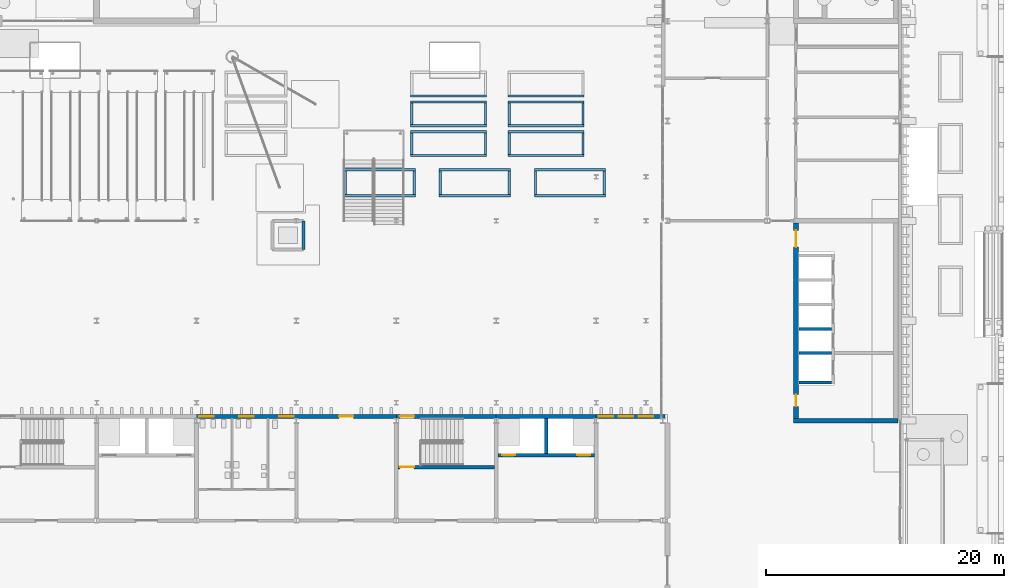
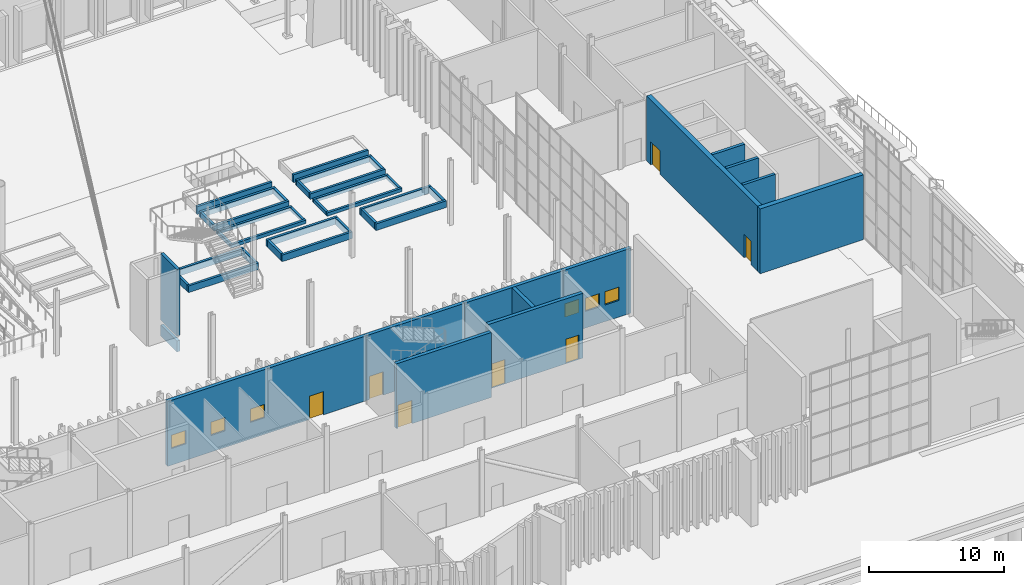
# One storey, part 71 of 108: 44 walls, 7 doors, 6 windows, 13 openings.
"""IFC4 building model written with IfcOpenShell, lengths in metres."""

from ifc_helpers import new_model, si_unit, direction, frame, frame_2d, origin, place, context, subcontext, project, spatial, rectangle, extrude, material, layer, layer_set, type_object, element, fill, save


model = new_model("IFC4")

# Units and contexts
model_context = context("Model", 3, precision=1e-05, world=origin(), true_north=direction((0.0, 1.0)))
body_context = subcontext(model_context, "Body", "Model", "MODEL_VIEW")
ifc_project = project(units=[si_unit("LENGTHUNIT", "METRE"), si_unit("AREAUNIT", "SQUARE_METRE"), si_unit("VOLUMEUNIT", "CUBIC_METRE"), si_unit("PLANEANGLEUNIT", "RADIAN"), si_unit("MASSUNIT", "GRAM", prefix="KILO")], contexts=[model_context])

# Site, building, storey
site_placement = place(None, origin())
site = spatial("IfcSite", under=ifc_project, at=site_placement, CompositionType="ELEMENT")
building_placement = place(site_placement, origin())
building = spatial("IfcBuilding", under=site, at=building_placement, Name="Cresset Court Congress Hotel", CompositionType="ELEMENT")
storey_placement = place(building_placement, origin())
storey = spatial("IfcBuildingStorey", under=building, at=storey_placement, Name="L00", CompositionType="ELEMENT", Elevation=0.0)

# Wall, openings, doors
ifc_material_1 = material(Name="Concrete C50", Category="concrete")
ifc_layer_1 = layer(ifc_material_1, 0.300048828125)
ifc_layer_set_1 = layer_set([ifc_layer_1], Name="Core wall 300 Concrete C50")
wall_type_1 = type_object("IfcWallType", Name="Core wall 300 Concrete C50", PredefinedType="SHEAR", material=ifc_layer_set_1)
wall_1_placement = place(storey_placement, frame((142.949951171875, 22.300048828125, 0.0), z_axis=(0.0, 0.0, 1.0), x_axis=(1.0, 0.0, 0.0)))
wall_1 = element("IfcWall", 1, at=wall_1_placement, inside=storey, type_object=wall_type_1, Name="Core wall LC-B3", PredefinedType="SHEAR", context=body_context, shape_type="SweptSolid", body=[
    extrude(rectangle(XDim=8.10009765625, YDim=0.300048828125, at=frame_2d((4.050048828125, 0.0))), origin(), (0.0, 0.0, 1.0), 5.85009765625),
])
opening_1_placement = place(wall_1_placement, frame((0.35009765625, 0.0, 0.0)))
opening_1 = element("IfcOpeningElement", 2, at=opening_1_placement, cuts=wall_1, Name="Opening LD-B3-03", PredefinedType="OPENING", context=body_context, shape_type="SweptSolid", body=[
    extrude(rectangle(XDim=1.10009765625, YDim=2.199951171875, at=frame_2d((0.550048828125, 1.10009765625))), frame((0.0, 0.159912109375, 0.0), z_axis=(0.0, -1.0, 0.0), x_axis=(1.0, 0.0, 0.0)), (0.0, 0.0, 1.0), 0.320068359375),
])
opening_2_placement = place(wall_1_placement, frame((6.64990234375, 0.0, 0.0)))
opening_2 = element("IfcOpeningElement", 3, at=opening_2_placement, cuts=wall_1, Name="Opening LD-B3-04", PredefinedType="OPENING", context=body_context, shape_type="SweptSolid", body=[
    extrude(rectangle(XDim=1.10009765625, YDim=2.199951171875, at=frame_2d((0.550048828125, 1.10009765625))), frame((0.0, 0.159912109375, 0.0), z_axis=(0.0, -1.0, 0.0), x_axis=(1.0, 0.0, 0.0)), (0.0, 0.0, 1.0), 0.320068359375),
])
ifc_material_2 = material(Name="Stainless steel", Category="steel")
door_type_1 = type_object("IfcDoorType", Name="Lift landing door sliding 1100x2200", OperationType="SLIDING_TO_LEFT", PredefinedType="DOOR", material=ifc_material_2)
door_1_placement = place(opening_1_placement, origin())
door_1 = element("IfcDoor", 4, at=door_1_placement, inside=storey, type_object=door_type_1, Name="Lift landing door LD-B3-03", OperationType="SLIDING_TO_LEFT", OverallHeight=2.199951171875, OverallWidth=1.10009765625, PredefinedType="DOOR", context=body_context, shape_type="SweptSolid", body=[
    extrude(rectangle(XDim=1.10009765625, YDim=2.199951171875, at=frame_2d((0.550048828125, 1.10009765625))), frame((0.0, 0.02490234375, 0.0), z_axis=(0.0, -1.0, 0.0), x_axis=(1.0, 0.0, 0.0)), (0.0, 0.0, 1.0), 0.050048828125),
])
fill(opening_1, door_1)
door_2_placement = place(opening_2_placement, origin())
door_2 = element("IfcDoor", 5, at=door_2_placement, inside=storey, type_object=door_type_1, Name="Lift landing door LD-B3-04", OperationType="SLIDING_TO_LEFT", OverallHeight=2.199951171875, OverallWidth=1.10009765625, PredefinedType="DOOR", context=body_context, shape_type="SweptSolid", body=[
    extrude(rectangle(XDim=1.10009765625, YDim=2.199951171875, at=frame_2d((0.550048828125, 1.10009765625))), frame((0.0, 0.02490234375, 0.0), z_axis=(0.0, -1.0, 0.0), x_axis=(1.0, 0.0, 0.0)), (0.0, 0.0, 1.0), 0.050048828125),
])
fill(opening_2, door_2)

# Wall
wall_2_placement = place(storey_placement, frame((147.0, 22.449951171875, 0.0), z_axis=(0.0, 0.0, 1.0), x_axis=(0.0, 1.0, 0.0)))
element("IfcWall", 6, at=wall_2_placement, inside=storey, type_object=wall_type_1, Name="Core wall LC-B3", PredefinedType="SHEAR", context=body_context, shape_type="SweptSolid", body=[
    extrude(rectangle(XDim=2.949951171875, YDim=0.300048828125, at=frame_2d((1.47509765625, 0.0))), origin(), (0.0, 0.0, 1.0), 5.85009765625),
])

# Wall, opening, door
wall_3_placement = place(storey_placement, frame((134.550048828125, 21.300048828125, 0.0), z_axis=(0.0, 0.0, 1.0), x_axis=(1.0, 0.0, 0.0)))
wall_3 = element("IfcWall", 7, at=wall_3_placement, inside=storey, type_object=wall_type_1, Name="Core wall ST-B5", PredefinedType="SHEAR", context=body_context, shape_type="SweptSolid", body=[
    extrude(rectangle(XDim=8.099853515625, YDim=0.300048828125, at=frame_2d((4.0498046875, 0.0))), origin(), (0.0, 0.0, 1.0), 5.85009765625),
])
opening_3_placement = place(wall_3_placement, frame((0.14990234375, 0.0, 0.0)))
opening_3 = element("IfcOpeningElement", 8, at=opening_3_placement, cuts=wall_3, Name="Opening DB-00-63", PredefinedType="OPENING", context=body_context, shape_type="SweptSolid", body=[
    extrude(rectangle(XDim=1.199951171875, YDim=2.10009765625, at=frame_2d((0.60009765625, 1.050048828125))), frame((0.0, 0.159912109375, 0.0), z_axis=(0.0, -1.0, 0.0), x_axis=(1.0, 0.0, 0.0)), (0.0, 0.0, 1.0), 0.320068359375),
])
ifc_material_3 = material(Name="Timber and steel frame", Category="steel")
door_type_2 = type_object("IfcDoorType", Name="Stair fire door FD60 1200x2100", OperationType="SINGLE_SWING_LEFT", PredefinedType="DOOR", material=ifc_material_3)
door_3_placement = place(opening_3_placement, origin())
door_3 = element("IfcDoor", 9, at=door_3_placement, inside=storey, type_object=door_type_2, Name="Stair door ST-B5", OperationType="SINGLE_SWING_LEFT", OverallHeight=2.10009765625, OverallWidth=1.199951171875, PredefinedType="DOOR", context=body_context, shape_type="SweptSolid", body=[
    extrude(rectangle(XDim=1.199951171875, YDim=2.10009765625, at=frame_2d((0.60009765625, 1.050048828125))), frame((0.0, 0.02490234375, 0.0), z_axis=(0.0, -1.0, 0.0), x_axis=(1.0, 0.0, 0.0)), (0.0, 0.0, 1.0), 0.050048828125),
])
fill(opening_3, door_3)

# Wall
ifc_material_4 = material(Name="Concrete C50", Category="concrete")
ifc_layer_2 = layer(ifc_material_4, 0.300048828125)
ifc_layer_set_2 = layer_set([ifc_layer_2], Name="Core wall 300 Concrete C50 external")
wall_type_2 = type_object("IfcWallType", Name="Core wall 300 Concrete C50 external", PredefinedType="SHEAR", material=ifc_layer_set_2)
wall_4_placement = place(storey_placement, frame((142.800048828125, 25.550048828125, 0.0), z_axis=(0.0, 0.0, 1.0), x_axis=(1.0, 0.0, 0.0)))
element("IfcWall", 10, at=wall_4_placement, inside=storey, type_object=wall_type_2, Name="Core wall LC-B3", PredefinedType="SHEAR", context=body_context, shape_type="SweptSolid", body=[
    extrude(rectangle(XDim=8.39990234375, YDim=0.300048828125, at=frame_2d((4.199951171875, 0.0))), origin(), (0.0, 0.0, 1.0), 5.85009765625),
])

# Wall, opening, door
wall_5_placement = place(storey_placement, frame((134.39990234375, 25.550048828125, 0.0), z_axis=(0.0, 0.0, 1.0), x_axis=(1.0, 0.0, 0.0)))
wall_5 = element("IfcWall", 11, at=wall_5_placement, inside=storey, type_object=wall_type_2, Name="Core wall ST-B5", PredefinedType="SHEAR", context=body_context, shape_type="SweptSolid", body=[
    extrude(rectangle(XDim=8.400146484375, YDim=0.300048828125, at=frame_2d((4.2001953125, 0.0))), origin(), (0.0, 0.0, 1.0), 5.85009765625),
])
opening_4_placement = place(wall_5_placement, frame((0.300048828125, 0.0, 0.0)))
opening_4 = element("IfcOpeningElement", 12, at=opening_4_placement, cuts=wall_5, Name="Opening DB-00-15A", PredefinedType="OPENING", context=body_context, shape_type="SweptSolid", body=[
    extrude(rectangle(XDim=1.199951171875, YDim=2.10009765625, at=frame_2d((0.60009765625, 1.050048828125))), frame((0.0, 0.159912109375, 0.0), z_axis=(0.0, -1.0, 0.0), x_axis=(1.0, 0.0, 0.0)), (0.0, 0.0, 1.0), 0.320068359375),
])
ifc_material_5 = material(Name="Timber and steel frame", Category="steel")
door_type_3 = type_object("IfcDoorType", Name="Stair fire door FD60 1200x2100 external", OperationType="SINGLE_SWING_LEFT", PredefinedType="DOOR", material=ifc_material_5)
door_4_placement = place(opening_4_placement, origin())
door_4 = element("IfcDoor", 13, at=door_4_placement, inside=storey, type_object=door_type_3, Name="Final exit ST-B5", OperationType="SINGLE_SWING_LEFT", OverallHeight=2.10009765625, OverallWidth=1.199951171875, PredefinedType="DOOR", context=body_context, shape_type="SweptSolid", body=[
    extrude(rectangle(XDim=1.199951171875, YDim=2.10009765625, at=frame_2d((0.60009765625, 1.050048828125))), frame((0.0, 0.02490234375, 0.0), z_axis=(0.0, -1.0, 0.0), x_axis=(1.0, 0.0, 0.0)), (0.0, 0.0, 1.0), 0.050048828125),
])
fill(opening_4, door_4)

# Wall, openings, door, windows
ifc_material_6 = material(Name="Concrete C40", Category="concrete")
ifc_layer_3 = layer(ifc_material_6, 0.300048828125)
ifc_layer_set_3 = layer_set([ifc_layer_3], Name="External wall 300 Concrete C40")
wall_type_3 = type_object("IfcWallType", Name="External wall 300 Concrete C40", PredefinedType="SOLIDWALL", material=ifc_layer_set_3)
wall_6_placement = place(storey_placement, frame((117.5, 25.550048828125, 0.0), z_axis=(0.0, 0.0, 1.0), x_axis=(1.0, 0.0, 0.0)))
wall_6 = element("IfcWall", 14, at=wall_6_placement, inside=storey, type_object=wall_type_3, Name="External wall", PredefinedType="SOLIDWALL", context=body_context, shape_type="SweptSolid", body=[
    extrude(rectangle(XDim=17.0, YDim=0.300048828125, at=frame_2d((8.5, 0.0))), origin(), (0.0, 0.0, 1.0), 5.85009765625),
])
opening_5_placement = place(wall_6_placement, frame((12.10009765625, 0.0, 0.0)))
opening_5 = element("IfcOpeningElement", 15, at=opening_5_placement, cuts=wall_6, Name="Opening DB-00-10", PredefinedType="OPENING", context=body_context, shape_type="SweptSolid", body=[
    extrude(rectangle(XDim=1.199951171875, YDim=2.10009765625, at=frame_2d((0.60009765625, 1.050048828125))), frame((0.0, 0.159912109375, 0.0), z_axis=(0.0, -1.0, 0.0), x_axis=(1.0, 0.0, 0.0)), (0.0, 0.0, 1.0), 0.320068359375),
])
opening_6_placement = place(wall_6_placement, frame((0.340087890625, 0.0, 1.5)))
opening_6 = element("IfcOpeningElement", 16, at=opening_6_placement, cuts=wall_6, Name="Opening NB-00-83", PredefinedType="OPENING", context=body_context, shape_type="SweptSolid", body=[
    extrude(rectangle(XDim=1.199951171875, YDim=1.199951171875, at=frame_2d((0.60009765625, 0.60009765625))), frame((0.0, 0.159912109375, 0.0), z_axis=(0.0, -1.0, 0.0), x_axis=(1.0, 0.0, 0.0)), (0.0, 0.0, 1.0), 0.320068359375),
])
opening_7_placement = place(wall_6_placement, frame((3.699951171875, 0.0, 1.5)))
opening_7 = element("IfcOpeningElement", 17, at=opening_7_placement, cuts=wall_6, Name="Opening NB-00-84", PredefinedType="OPENING", context=body_context, shape_type="SweptSolid", body=[
    extrude(rectangle(XDim=1.199951171875, YDim=1.199951171875, at=frame_2d((0.60009765625, 0.60009765625))), frame((0.0, 0.159912109375, 0.0), z_axis=(0.0, -1.0, 0.0), x_axis=(1.0, 0.0, 0.0)), (0.0, 0.0, 1.0), 0.320068359375),
])
opening_8_placement = place(wall_6_placement, frame((7.06005859375, 0.0, 1.5)))
opening_8 = element("IfcOpeningElement", 18, at=opening_8_placement, cuts=wall_6, Name="Opening NB-00-85", PredefinedType="OPENING", context=body_context, shape_type="SweptSolid", body=[
    extrude(rectangle(XDim=1.199951171875, YDim=1.199951171875, at=frame_2d((0.60009765625, 0.60009765625))), frame((0.0, 0.159912109375, 0.0), z_axis=(0.0, -1.0, 0.0), x_axis=(1.0, 0.0, 0.0)), (0.0, 0.0, 1.0), 0.320068359375),
])
ifc_material_7 = material(Name="Galvanised steel", Category="steel")
door_type_4 = type_object("IfcDoorType", Name="Service door steel 1200x2100", OperationType="SINGLE_SWING_LEFT", PredefinedType="DOOR", material=ifc_material_7)
door_5_placement = place(opening_5_placement, origin())
door_5 = element("IfcDoor", 19, at=door_5_placement, inside=storey, type_object=door_type_4, Name="Generator room door", OperationType="SINGLE_SWING_LEFT", OverallHeight=2.10009765625, OverallWidth=1.199951171875, PredefinedType="DOOR", context=body_context, shape_type="SweptSolid", body=[
    extrude(rectangle(XDim=1.199951171875, YDim=2.10009765625, at=frame_2d((0.60009765625, 1.050048828125))), frame((0.0, 0.02490234375, 0.0), z_axis=(0.0, -1.0, 0.0), x_axis=(1.0, 0.0, 0.0)), (0.0, 0.0, 1.0), 0.050048828125),
])
fill(opening_5, door_5)
ifc_material_8 = material(Name="Aluminium frame with double glazing", Category="aluminium")
window_type = type_object("IfcWindowType", Name="Window 1200x1200", PartitioningType="SINGLE_PANEL", PredefinedType="WINDOW", material=ifc_material_8)
window_1_placement = place(opening_6_placement, origin())
window_1 = element("IfcWindow", 20, at=window_1_placement, inside=storey, type_object=window_type, Name="Window NB-00-83", OverallHeight=1.199951171875, OverallWidth=1.199951171875, PartitioningType="SINGLE_PANEL", PredefinedType="WINDOW", context=body_context, shape_type="SweptSolid", body=[
    extrude(rectangle(XDim=1.199951171875, YDim=1.199951171875, at=frame_2d((0.60009765625, 0.60009765625))), frame((0.0, 0.030029296875, 0.0), z_axis=(0.0, -1.0, 0.0), x_axis=(1.0, 0.0, 0.0)), (0.0, 0.0, 1.0), 0.06005859375),
])
fill(opening_6, window_1)
window_2_placement = place(opening_7_placement, origin())
window_2 = element("IfcWindow", 21, at=window_2_placement, inside=storey, type_object=window_type, Name="Window NB-00-84", OverallHeight=1.199951171875, OverallWidth=1.199951171875, PartitioningType="SINGLE_PANEL", PredefinedType="WINDOW", context=body_context, shape_type="SweptSolid", body=[
    extrude(rectangle(XDim=1.199951171875, YDim=1.199951171875, at=frame_2d((0.60009765625, 0.60009765625))), frame((0.0, 0.030029296875, 0.0), z_axis=(0.0, -1.0, 0.0), x_axis=(1.0, 0.0, 0.0)), (0.0, 0.0, 1.0), 0.06005859375),
])
fill(opening_7, window_2)
window_3_placement = place(opening_8_placement, origin())
window_3 = element("IfcWindow", 22, at=window_3_placement, inside=storey, type_object=window_type, Name="Window NB-00-85", OverallHeight=1.199951171875, OverallWidth=1.199951171875, PartitioningType="SINGLE_PANEL", PredefinedType="WINDOW", context=body_context, shape_type="SweptSolid", body=[
    extrude(rectangle(XDim=1.199951171875, YDim=1.199951171875, at=frame_2d((0.60009765625, 0.60009765625))), frame((0.0, 0.030029296875, 0.0), z_axis=(0.0, -1.0, 0.0), x_axis=(1.0, 0.0, 0.0)), (0.0, 0.0, 1.0), 0.06005859375),
])
fill(opening_8, window_3)

# Wall, openings, windows
wall_7_placement = place(storey_placement, frame((151.10009765625, 25.550048828125, 0.0), z_axis=(0.0, 0.0, 1.0), x_axis=(1.0, 0.0, 0.0)))
wall_7 = element("IfcWall", 23, at=wall_7_placement, inside=storey, type_object=wall_type_3, Name="External wall", PredefinedType="SOLIDWALL", context=body_context, shape_type="SweptSolid", body=[
    extrude(rectangle(XDim=5.89990234375, YDim=0.300048828125, at=frame_2d((2.949951171875, 0.0))), origin(), (0.0, 0.0, 1.0), 5.85009765625),
])
opening_9_placement = place(wall_7_placement, frame((0.340087890625, 0.0, 1.5)))
opening_9 = element("IfcOpeningElement", 24, at=opening_9_placement, cuts=wall_7, Name="Opening NB-00-86", PredefinedType="OPENING", context=body_context, shape_type="SweptSolid", body=[
    extrude(rectangle(XDim=1.199951171875, YDim=1.199951171875, at=frame_2d((0.60009765625, 0.60009765625))), frame((0.0, 0.159912109375, 0.0), z_axis=(0.0, -1.0, 0.0), x_axis=(1.0, 0.0, 0.0)), (0.0, 0.0, 1.0), 0.320068359375),
])
opening_10_placement = place(wall_7_placement, frame((2.02001953125, 0.0, 1.5)))
opening_10 = element("IfcOpeningElement", 25, at=opening_10_placement, cuts=wall_7, Name="Opening NB-00-87", PredefinedType="OPENING", context=body_context, shape_type="SweptSolid", body=[
    extrude(rectangle(XDim=1.199951171875, YDim=1.199951171875, at=frame_2d((0.60009765625, 0.60009765625))), frame((0.0, 0.159912109375, 0.0), z_axis=(0.0, -1.0, 0.0), x_axis=(1.0, 0.0, 0.0)), (0.0, 0.0, 1.0), 0.320068359375),
])
opening_11_placement = place(wall_7_placement, frame((3.699951171875, 0.0, 1.5)))
opening_11 = element("IfcOpeningElement", 26, at=opening_11_placement, cuts=wall_7, Name="Opening NB-00-88", PredefinedType="OPENING", context=body_context, shape_type="SweptSolid", body=[
    extrude(rectangle(XDim=1.199951171875, YDim=1.199951171875, at=frame_2d((0.60009765625, 0.60009765625))), frame((0.0, 0.159912109375, 0.0), z_axis=(0.0, -1.0, 0.0), x_axis=(1.0, 0.0, 0.0)), (0.0, 0.0, 1.0), 0.320068359375),
])
window_4_placement = place(opening_9_placement, origin())
window_4 = element("IfcWindow", 27, at=window_4_placement, inside=storey, type_object=window_type, Name="Window NB-00-86", OverallHeight=1.199951171875, OverallWidth=1.199951171875, PartitioningType="SINGLE_PANEL", PredefinedType="WINDOW", context=body_context, shape_type="SweptSolid", body=[
    extrude(rectangle(XDim=1.199951171875, YDim=1.199951171875, at=frame_2d((0.60009765625, 0.60009765625))), frame((0.0, 0.030029296875, 0.0), z_axis=(0.0, -1.0, 0.0), x_axis=(1.0, 0.0, 0.0)), (0.0, 0.0, 1.0), 0.06005859375),
])
fill(opening_9, window_4)
window_5_placement = place(opening_10_placement, origin())
window_5 = element("IfcWindow", 28, at=window_5_placement, inside=storey, type_object=window_type, Name="Window NB-00-87", OverallHeight=1.199951171875, OverallWidth=1.199951171875, PartitioningType="SINGLE_PANEL", PredefinedType="WINDOW", context=body_context, shape_type="SweptSolid", body=[
    extrude(rectangle(XDim=1.199951171875, YDim=1.199951171875, at=frame_2d((0.60009765625, 0.60009765625))), frame((0.0, 0.030029296875, 0.0), z_axis=(0.0, -1.0, 0.0), x_axis=(1.0, 0.0, 0.0)), (0.0, 0.0, 1.0), 0.06005859375),
])
fill(opening_10, window_5)
window_6_placement = place(opening_11_placement, origin())
window_6 = element("IfcWindow", 29, at=window_6_placement, inside=storey, type_object=window_type, Name="Window NB-00-88", OverallHeight=1.199951171875, OverallWidth=1.199951171875, PartitioningType="SINGLE_PANEL", PredefinedType="WINDOW", context=body_context, shape_type="SweptSolid", body=[
    extrude(rectangle(XDim=1.199951171875, YDim=1.199951171875, at=frame_2d((0.60009765625, 0.60009765625))), frame((0.0, 0.030029296875, 0.0), z_axis=(0.0, -1.0, 0.0), x_axis=(1.0, 0.0, 0.0)), (0.0, 0.0, 1.0), 0.06005859375),
])
fill(opening_11, window_6)

# Wall
ifc_material_9 = material(Name="Concrete C50", Category="concrete")
ifc_layer_4 = layer(ifc_material_9, 0.39990234375)
ifc_layer_set_4 = layer_set([ifc_layer_4], Name="Lift core wall 400")
wall_type_4 = type_object("IfcWallType", Name="Lift core wall 400", PredefinedType="SOLIDWALL", material=ifc_layer_set_4)
wall_8_placement = place(storey_placement, frame((167.800048828125, 25.199951171875, 0.0), z_axis=(0.0, 0.0, 1.0), x_axis=(1.0, 0.0, 0.0)))
element("IfcWall", 30, at=wall_8_placement, inside=storey, type_object=wall_type_4, Name="A.cw.LC-A.L00.S", PredefinedType="SOLIDWALL", context=body_context, shape_type="SweptSolid", body=[
    extrude(rectangle(XDim=8.800048828125, YDim=0.39990234375, at=frame_2d((4.39990234375, 0.0))), origin(), (0.0, 0.0, 1.0), 5.85009765625),
])

# Wall, openings, doors
wall_9_placement = place(storey_placement, frame((168.0, 25.39990234375, 0.0), z_axis=(0.0, 0.0, 1.0), x_axis=(0.0, 1.0, 0.0)))
wall_9 = element("IfcWall", 31, at=wall_9_placement, inside=storey, type_object=wall_type_4, Name="A.cw.LC-A.L00.W", PredefinedType="SOLIDWALL", context=body_context, shape_type="SweptSolid", body=[
    extrude(rectangle(XDim=16.400146484375, YDim=0.39990234375, at=frame_2d((8.2001953125, 0.0))), origin(), (0.0, 0.0, 1.0), 5.85009765625),
])
opening_12_placement = place(wall_9_placement, frame((1.0, 0.0, 0.0)))
opening_12 = element("IfcOpeningElement", 32, at=opening_12_placement, cuts=wall_9, Name="Opening DA-00-23", PredefinedType="OPENING", context=body_context, shape_type="SweptSolid", body=[
    extrude(rectangle(XDim=1.0, YDim=2.10009765625, at=frame_2d((0.5, 1.050048828125))), frame((0.0, 0.2099609375, 0.0), z_axis=(0.0, -1.0, 0.0), x_axis=(1.0, 0.0, 0.0)), (0.0, 0.0, 1.0), 0.419921875),
])
opening_13_placement = place(wall_9_placement, frame((14.39990234375, 0.0, 0.0)))
opening_13 = element("IfcOpeningElement", 33, at=opening_13_placement, cuts=wall_9, Name="Opening DA-00-24", PredefinedType="OPENING", context=body_context, shape_type="SweptSolid", body=[
    extrude(rectangle(XDim=1.39990234375, YDim=2.10009765625, at=frame_2d((0.699951171875, 1.050048828125))), frame((0.0, 0.2099609375, 0.0), z_axis=(0.0, -1.0, 0.0), x_axis=(1.0, 0.0, 0.0)), (0.0, 0.0, 1.0), 0.419921875),
])
ifc_material_10 = material(Name="steel", Category="steel")
door_type_5 = type_object("IfcDoorType", Name="Lobby door 1000x2100 FD60", OperationType="SINGLE_SWING_LEFT", PredefinedType="DOOR", material=ifc_material_10)
door_6_placement = place(opening_12_placement, origin())
door_6 = element("IfcDoor", 34, at=door_6_placement, inside=storey, type_object=door_type_5, Name="Door DA-00-23", OperationType="SINGLE_SWING_RIGHT", OverallHeight=2.10009765625, OverallWidth=1.0, PredefinedType="DOOR", context=body_context, shape_type="SweptSolid", body=[
    extrude(rectangle(XDim=1.0, YDim=2.10009765625, at=frame_2d((0.5, 1.050048828125))), frame((0.0, 0.02490234375, 0.0), z_axis=(0.0, -1.0, 0.0), x_axis=(1.0, 0.0, 0.0)), (0.0, 0.0, 1.0), 0.050048828125),
])
fill(opening_12, door_6)
ifc_material_11 = material(Name="steel", Category="steel")
door_type_6 = type_object("IfcDoorType", Name="Lobby door 1400x2100 FD60", OperationType="DOUBLE_DOOR_DOUBLE_SWING", PredefinedType="DOOR", material=ifc_material_11)
door_7_placement = place(opening_13_placement, origin())
door_7 = element("IfcDoor", 35, at=door_7_placement, inside=storey, type_object=door_type_6, Name="Door DA-00-24", OperationType="DOUBLE_DOOR_DOUBLE_SWING", OverallHeight=2.10009765625, OverallWidth=1.39990234375, PredefinedType="DOOR", context=body_context, shape_type="SweptSolid", body=[
    extrude(rectangle(XDim=1.39990234375, YDim=2.10009765625, at=frame_2d((0.699951171875, 1.050048828125))), frame((0.0, 0.02490234375, 0.0), z_axis=(0.0, -1.0, 0.0), x_axis=(1.0, 0.0, 0.0)), (0.0, 0.0, 1.0), 0.050048828125),
])
fill(opening_13, door_7)

# Walls
ifc_material_12 = material(Name="Concrete C50", Category="concrete")
ifc_layer_5 = layer(ifc_material_12, 0.25)
ifc_layer_set_5 = layer_set([ifc_layer_5], Name="Lift shaft wall 250")
wall_type_5 = type_object("IfcWallType", Name="Lift shaft wall 250", PredefinedType="SOLIDWALL", material=ifc_layer_set_5)
wall_10_placement = place(storey_placement, frame((126.60009765625, 39.60009765625, -1.449951171875), z_axis=(0.0, 0.0, 1.0), x_axis=(0.0, 1.0, 0.0)))
element("IfcWall", 36, at=wall_10_placement, inside=storey, type_object=wall_type_5, Name="S.lift.L00.LF-S1.pit.E", PredefinedType="SOLIDWALL", context=body_context, shape_type="SweptSolid", body=[
    extrude(rectangle(XDim=2.39990234375, YDim=0.25, at=frame_2d((1.199951171875, 0.0))), origin(), (0.0, 0.0, 1.0), 1.0),
])
wall_11_placement = place(storey_placement, frame((126.60009765625, 39.60009765625, 0.0), z_axis=(0.0, 0.0, 1.0), x_axis=(0.0, 1.0, 0.0)))
element("IfcWall", 37, at=wall_11_placement, inside=storey, type_object=wall_type_5, Name="S.lift.L00.LF-S1.E", PredefinedType="SOLIDWALL", context=body_context, shape_type="SweptSolid", body=[
    extrude(rectangle(XDim=2.39990234375, YDim=0.25, at=frame_2d((1.199951171875, 0.0))), origin(), (0.0, 0.0, 1.0), 6.0),
])
for number, where, z_axis, x_axis, name in (
    (38, (168.25, 28.425048828125, 0.0), (0.0, 0.0, 1.0), (1.0, 0.0, 0.0), "A.wl.L00.018"),
    (39, (168.25, 30.875, 0.0), (0.0, 0.0, 1.0), (1.0, 0.0, 0.0), "A.wl.L00.019"),
    (40, (168.25, 32.925048828125, 0.0), (0.0, 0.0, 1.0), (1.0, 0.0, 0.0), "A.wl.L00.020"),
):
    element("IfcWall", number, at=place(storey_placement, frame(where, z_axis=z_axis, x_axis=x_axis)), inside=storey, type_object=wall_type_5, Name=name, PredefinedType="SOLIDWALL", context=body_context, shape_type="SweptSolid", body=[
        extrude(rectangle(XDim=2.75, YDim=0.25, at=frame_2d((1.375, 0.0))), origin(), (0.0, 0.0, 1.0), 5.85009765625),
    ])
ifc_material_13 = material(Name="Concrete C35", Category="concrete")
ifc_layer_6 = layer(ifc_material_13, 0.199951171875)
ifc_layer_set_6 = layer_set([ifc_layer_6], Name="Planter wall 200")
wall_type_6 = type_object("IfcWallType", Name="Planter wall 200", PredefinedType="SOLIDWALL", material=ifc_layer_set_6)
for number, where, z_axis, x_axis, name in (
    (41, (135.60009765625, 47.5, 0.0), (0.0, 0.0, 1.0), (1.0, 0.0, 0.0), "Terrace planter wall 13"),
    (42, (135.60009765625, 49.5, 0.0), (0.0, 0.0, 1.0), (1.0, 0.0, 0.0), "Terrace planter wall 13"),
):
    element("IfcWall", number, at=place(storey_placement, frame(where, z_axis=z_axis, x_axis=x_axis)), inside=storey, type_object=wall_type_6, Name=name, PredefinedType="SOLIDWALL", context=body_context, shape_type="SweptSolid", body=[
        extrude(rectangle(XDim=6.39990234375, YDim=0.199951171875, at=frame_2d((3.199951171875, 0.0))), origin(), (0.0, 0.0, 1.0), 0.300048828125),
    ])
for number, where, z_axis, x_axis, name in (
    (43, (135.699951171875, 47.60009765625, 0.0), (0.0, 0.0, 1.0), (0.0, 1.0, 0.0), "Terrace planter wall 13"),
    (44, (141.89990234375, 47.60009765625, 0.0), (0.0, 0.0, 1.0), (0.0, 1.0, 0.0), "Terrace planter wall 13"),
):
    element("IfcWall", number, at=place(storey_placement, frame(where, z_axis=z_axis, x_axis=x_axis)), inside=storey, type_object=wall_type_6, Name=name, PredefinedType="SOLIDWALL", context=body_context, shape_type="SweptSolid", body=[
        extrude(rectangle(XDim=1.7998046875, YDim=0.199951171875, at=frame_2d((0.89990234375, 0.0))), origin(), (0.0, 0.0, 1.0), 0.300048828125),
    ])
for number, where, z_axis, x_axis, name in (
    (45, (135.60009765625, 50.0, 0.0), (0.0, 0.0, 1.0), (1.0, 0.0, 0.0), "Terrace planter wall 14"),
    (46, (135.60009765625, 52.0, 0.0), (0.0, 0.0, 1.0), (1.0, 0.0, 0.0), "Terrace planter wall 14"),
):
    element("IfcWall", number, at=place(storey_placement, frame(where, z_axis=z_axis, x_axis=x_axis)), inside=storey, type_object=wall_type_6, Name=name, PredefinedType="SOLIDWALL", context=body_context, shape_type="SweptSolid", body=[
        extrude(rectangle(XDim=6.39990234375, YDim=0.199951171875, at=frame_2d((3.199951171875, 0.0))), origin(), (0.0, 0.0, 1.0), 0.5),
    ])
for number, where, z_axis, x_axis, name in (
    (47, (135.699951171875, 50.10009765625, 0.0), (0.0, 0.0, 1.0), (0.0, 1.0, 0.0), "Terrace planter wall 14"),
    (48, (141.89990234375, 50.10009765625, 0.0), (0.0, 0.0, 1.0), (0.0, 1.0, 0.0), "Terrace planter wall 14"),
):
    element("IfcWall", number, at=place(storey_placement, frame(where, z_axis=z_axis, x_axis=x_axis)), inside=storey, type_object=wall_type_6, Name=name, PredefinedType="SOLIDWALL", context=body_context, shape_type="SweptSolid", body=[
        extrude(rectangle(XDim=1.7998046875, YDim=0.199951171875, at=frame_2d((0.89990234375, 0.0))), origin(), (0.0, 0.0, 1.0), 0.5),
    ])
wall_12_placement = place(storey_placement, frame((135.60009765625, 52.5, 0.0), z_axis=(0.0, 0.0, 1.0), x_axis=(1.0, 0.0, 0.0)))
element("IfcWall", 49, at=wall_12_placement, inside=storey, type_object=wall_type_6, Name="Terrace planter wall 15", PredefinedType="SOLIDWALL", context=body_context, shape_type="SweptSolid", body=[
    extrude(rectangle(XDim=6.39990234375, YDim=0.199951171875, at=frame_2d((3.199951171875, 0.0))), origin(), (0.0, 0.0, 1.0), 0.699951171875),
])
for number, where, z_axis, x_axis, name in (
    (50, (143.800048828125, 47.5, 0.0), (0.0, 0.0, 1.0), (1.0, 0.0, 0.0), "Terrace planter wall 16"),
    (51, (143.800048828125, 49.5, 0.0), (0.0, 0.0, 1.0), (1.0, 0.0, 0.0), "Terrace planter wall 16"),
):
    element("IfcWall", number, at=place(storey_placement, frame(where, z_axis=z_axis, x_axis=x_axis)), inside=storey, type_object=wall_type_6, Name=name, PredefinedType="SOLIDWALL", context=body_context, shape_type="SweptSolid", body=[
        extrude(rectangle(XDim=6.39990234375, YDim=0.199951171875, at=frame_2d((3.199951171875, 0.0))), origin(), (0.0, 0.0, 1.0), 0.300048828125),
    ])
for number, where, z_axis, x_axis, name in (
    (52, (143.89990234375, 47.60009765625, 0.0), (0.0, 0.0, 1.0), (0.0, 1.0, 0.0), "Terrace planter wall 16"),
    (53, (150.10009765625, 47.60009765625, 0.0), (0.0, 0.0, 1.0), (0.0, 1.0, 0.0), "Terrace planter wall 16"),
):
    element("IfcWall", number, at=place(storey_placement, frame(where, z_axis=z_axis, x_axis=x_axis)), inside=storey, type_object=wall_type_6, Name=name, PredefinedType="SOLIDWALL", context=body_context, shape_type="SweptSolid", body=[
        extrude(rectangle(XDim=1.7998046875, YDim=0.199951171875, at=frame_2d((0.89990234375, 0.0))), origin(), (0.0, 0.0, 1.0), 0.300048828125),
    ])
for number, where, z_axis, x_axis, name in (
    (54, (143.800048828125, 50.0, 0.0), (0.0, 0.0, 1.0), (1.0, 0.0, 0.0), "Terrace planter wall 17"),
    (55, (143.800048828125, 52.0, 0.0), (0.0, 0.0, 1.0), (1.0, 0.0, 0.0), "Terrace planter wall 17"),
):
    element("IfcWall", number, at=place(storey_placement, frame(where, z_axis=z_axis, x_axis=x_axis)), inside=storey, type_object=wall_type_6, Name=name, PredefinedType="SOLIDWALL", context=body_context, shape_type="SweptSolid", body=[
        extrude(rectangle(XDim=6.39990234375, YDim=0.199951171875, at=frame_2d((3.199951171875, 0.0))), origin(), (0.0, 0.0, 1.0), 0.5),
    ])
for number, where, z_axis, x_axis, name in (
    (56, (143.89990234375, 50.10009765625, 0.0), (0.0, 0.0, 1.0), (0.0, 1.0, 0.0), "Terrace planter wall 17"),
    (57, (150.10009765625, 50.10009765625, 0.0), (0.0, 0.0, 1.0), (0.0, 1.0, 0.0), "Terrace planter wall 17"),
):
    element("IfcWall", number, at=place(storey_placement, frame(where, z_axis=z_axis, x_axis=x_axis)), inside=storey, type_object=wall_type_6, Name=name, PredefinedType="SOLIDWALL", context=body_context, shape_type="SweptSolid", body=[
        extrude(rectangle(XDim=1.7998046875, YDim=0.199951171875, at=frame_2d((0.89990234375, 0.0))), origin(), (0.0, 0.0, 1.0), 0.5),
    ])
wall_13_placement = place(storey_placement, frame((143.800048828125, 52.5, 0.0), z_axis=(0.0, 0.0, 1.0), x_axis=(1.0, 0.0, 0.0)))
element("IfcWall", 58, at=wall_13_placement, inside=storey, type_object=wall_type_6, Name="Terrace planter wall 18", PredefinedType="SOLIDWALL", context=body_context, shape_type="SweptSolid", body=[
    extrude(rectangle(XDim=6.39990234375, YDim=0.199951171875, at=frame_2d((3.199951171875, 0.0))), origin(), (0.0, 0.0, 1.0), 0.699951171875),
])
for number, where, z_axis, x_axis, name in (
    (59, (130.0, 44.10009765625, 0.0), (0.0, 0.0, 1.0), (1.0, 0.0, 0.0), "S.planter.L00.16.S"),
    (60, (130.0, 46.300048828125, 0.0), (0.0, 0.0, 1.0), (1.0, 0.0, 0.0), "S.planter.L00.16.N"),
):
    element("IfcWall", number, at=place(storey_placement, frame(where, z_axis=z_axis, x_axis=x_axis)), inside=storey, type_object=wall_type_6, Name=name, PredefinedType="SOLIDWALL", context=body_context, shape_type="SweptSolid", body=[
        extrude(rectangle(XDim=6.0, YDim=0.199951171875, at=frame_2d((3.0, 0.0))), origin(), (0.0, 0.0, 1.0), 0.60009765625),
    ])
for number, where, z_axis, x_axis, name in (
    (61, (130.10009765625, 44.199951171875, 0.0), (0.0, 0.0, 1.0), (0.0, 1.0, 0.0), "S.planter.L00.16.W"),
    (62, (135.89990234375, 44.199951171875, 0.0), (0.0, 0.0, 1.0), (0.0, 1.0, 0.0), "S.planter.L00.16.E"),
):
    element("IfcWall", number, at=place(storey_placement, frame(where, z_axis=z_axis, x_axis=x_axis)), inside=storey, type_object=wall_type_6, Name=name, PredefinedType="SOLIDWALL", context=body_context, shape_type="SweptSolid", body=[
        extrude(rectangle(XDim=2.0, YDim=0.199951171875, at=frame_2d((1.0, 0.0))), origin(), (0.0, 0.0, 1.0), 0.60009765625),
    ])
for number, where, z_axis, x_axis, name in (
    (63, (138.0, 44.10009765625, 0.0), (0.0, 0.0, 1.0), (1.0, 0.0, 0.0), "S.planter.L00.17.S"),
    (64, (138.0, 46.300048828125, 0.0), (0.0, 0.0, 1.0), (1.0, 0.0, 0.0), "S.planter.L00.17.N"),
):
    element("IfcWall", number, at=place(storey_placement, frame(where, z_axis=z_axis, x_axis=x_axis)), inside=storey, type_object=wall_type_6, Name=name, PredefinedType="SOLIDWALL", context=body_context, shape_type="SweptSolid", body=[
        extrude(rectangle(XDim=6.0, YDim=0.199951171875, at=frame_2d((3.0, 0.0))), origin(), (0.0, 0.0, 1.0), 0.60009765625),
    ])
for number, where, z_axis, x_axis, name in (
    (65, (138.10009765625, 44.199951171875, 0.0), (0.0, 0.0, 1.0), (0.0, 1.0, 0.0), "S.planter.L00.17.W"),
    (66, (143.89990234375, 44.199951171875, 0.0), (0.0, 0.0, 1.0), (0.0, 1.0, 0.0), "S.planter.L00.17.E"),
):
    element("IfcWall", number, at=place(storey_placement, frame(where, z_axis=z_axis, x_axis=x_axis)), inside=storey, type_object=wall_type_6, Name=name, PredefinedType="SOLIDWALL", context=body_context, shape_type="SweptSolid", body=[
        extrude(rectangle(XDim=2.0, YDim=0.199951171875, at=frame_2d((1.0, 0.0))), origin(), (0.0, 0.0, 1.0), 0.60009765625),
    ])
for number, where, z_axis, x_axis, name in (
    (67, (146.0, 44.10009765625, 0.0), (0.0, 0.0, 1.0), (1.0, 0.0, 0.0), "S.planter.L00.18.S"),
    (68, (146.0, 46.300048828125, 0.0), (0.0, 0.0, 1.0), (1.0, 0.0, 0.0), "S.planter.L00.18.N"),
):
    element("IfcWall", number, at=place(storey_placement, frame(where, z_axis=z_axis, x_axis=x_axis)), inside=storey, type_object=wall_type_6, Name=name, PredefinedType="SOLIDWALL", context=body_context, shape_type="SweptSolid", body=[
        extrude(rectangle(XDim=6.0, YDim=0.199951171875, at=frame_2d((3.0, 0.0))), origin(), (0.0, 0.0, 1.0), 0.60009765625),
    ])
for number, where, z_axis, x_axis, name in (
    (69, (146.10009765625, 44.199951171875, 0.0), (0.0, 0.0, 1.0), (0.0, 1.0, 0.0), "S.planter.L00.18.W"),
    (70, (151.89990234375, 44.199951171875, 0.0), (0.0, 0.0, 1.0), (0.0, 1.0, 0.0), "S.planter.L00.18.E"),
):
    element("IfcWall", number, at=place(storey_placement, frame(where, z_axis=z_axis, x_axis=x_axis)), inside=storey, type_object=wall_type_6, Name=name, PredefinedType="SOLIDWALL", context=body_context, shape_type="SweptSolid", body=[
        extrude(rectangle(XDim=2.0, YDim=0.199951171875, at=frame_2d((1.0, 0.0))), origin(), (0.0, 0.0, 1.0), 0.60009765625),
    ])

save(model, "model.ifc")
